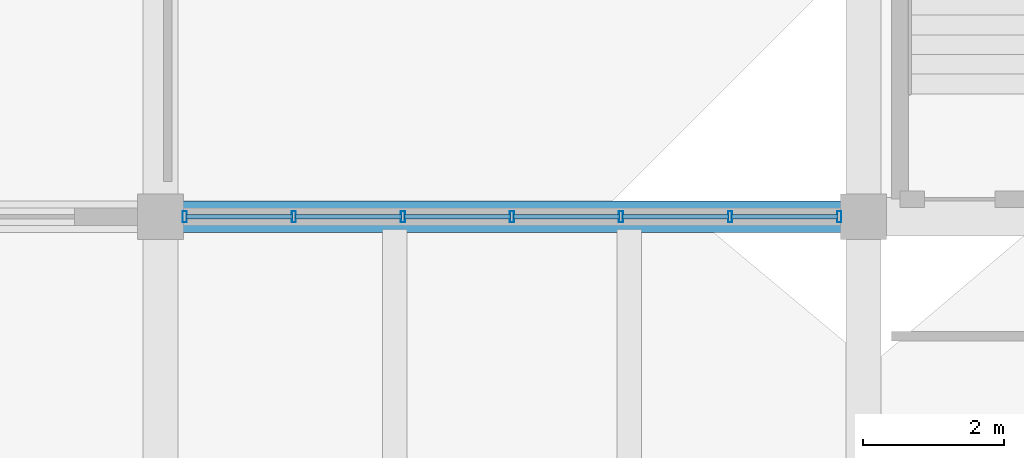
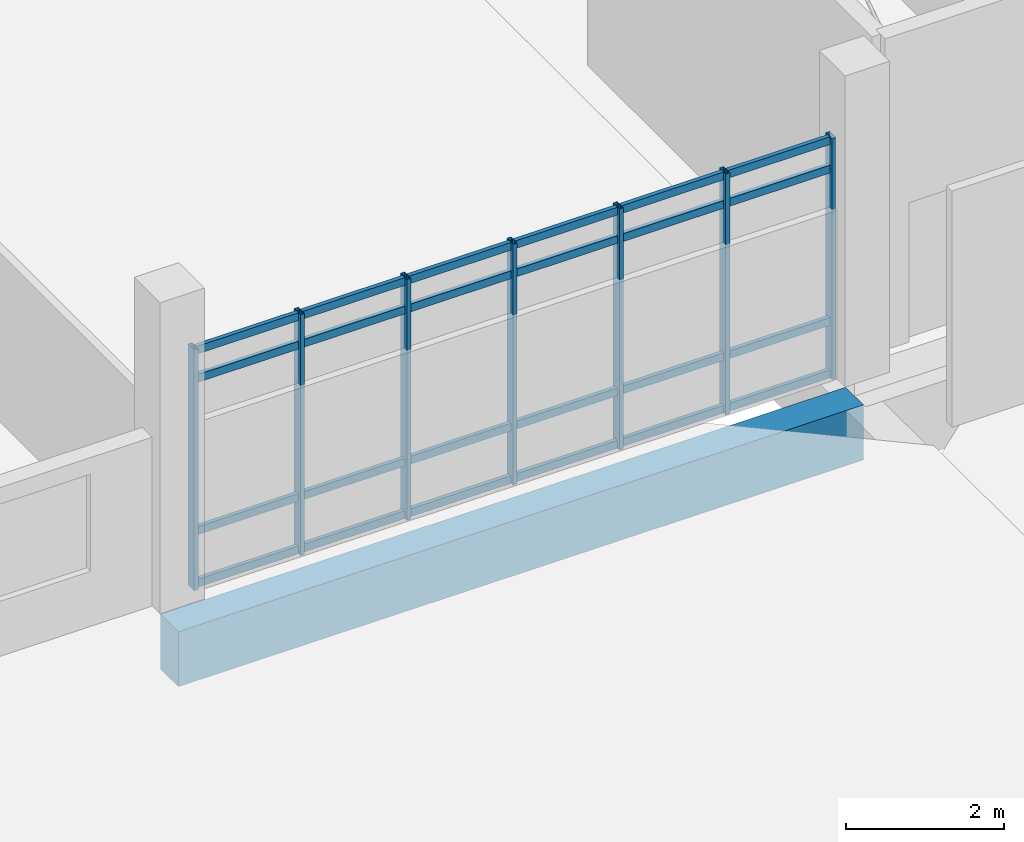
# One storey, part 24 of 87: 31 members, 1 beam, 1 element without a shape of its own.
"""IFC4 building model written with IfcOpenShell, lengths in metres."""

from ifc_helpers import new_model, si_unit, direction, frame, origin, origin_2d, place, context, subcontext, project, spatial, rectangle, hollow_rectangle, extrude, material, layer, layer_set, material_profile, profile_set, type_object, element, aggregate, save


model = new_model("IFC4")

# Units and contexts
model_context = context("Model", 3, precision=1e-05, world=origin(), true_north=direction((0.0, 1.0)))
body_context = subcontext(model_context, "Body", "Model", "MODEL_VIEW")
ifc_project = project(units=[si_unit("LENGTHUNIT", "METRE"), si_unit("AREAUNIT", "SQUARE_METRE"), si_unit("VOLUMEUNIT", "CUBIC_METRE"), si_unit("PLANEANGLEUNIT", "RADIAN"), si_unit("MASSUNIT", "GRAM", prefix="KILO")], contexts=[model_context])

# Site, building, storey
site_placement = place(None, origin())
site = spatial("IfcSite", under=ifc_project, at=site_placement, CompositionType="ELEMENT")
building_placement = place(site_placement, origin())
building = spatial("IfcBuilding", under=site, at=building_placement, Name="Mersad Railyard Sports Hall", CompositionType="ELEMENT")
storey_placement = place(building_placement, origin())
storey = spatial("IfcBuildingStorey", under=building, at=storey_placement, Name="L00", CompositionType="ELEMENT", Elevation=0.0)

# Curtain wall, members
ifc_material_1 = material(Name="Aluminium 6063-T6", Category="aluminium")
ifc_layer = layer(ifc_material_1, 0.159912109375)
ifc_layer_set = layer_set([ifc_layer], Name="Aluminium 6063-T6")
curtain_wall_type = type_object("IfcCurtainWallType", Name="ARC-CW-CW08", PredefinedType="USERDEFINED", material=ifc_layer_set)
curtain_wall_placement = place(storey_placement, origin())
curtain_wall = element("IfcCurtainWall", 1, at=curtain_wall_placement, inside=storey, type_object=curtain_wall_type, Name="Curtain wall CW08-0034", ObjectType="CURTAIN WALL", PredefinedType="USERDEFINED")
ifc_material_profile_1 = material_profile(ifc_material_1, hollow_rectangle(XDim=0.06005859375, YDim=0.159912109375, WallThickness=0.00390625, at=origin_2d()), Name="AL MULLION 60x160x4")
ifc_profile_set_1 = profile_set([ifc_material_profile_1], Name="Aluminium 6063-T6")
member_type_1 = type_object("IfcMemberType", Name="ARC-CW-MUL01", PredefinedType="MULLION", material=ifc_profile_set_1)
member_1_placement = place(storey_placement, frame((130.655029296875, 13.5, -0.02001953125), z_axis=(0.0, 0.0, 1.0), x_axis=(1.0, 0.0, 0.0)))
member_1 = element("IfcMember", 2, at=member_1_placement, type_object=member_type_1, Name="CW08 Mullion 1", PredefinedType="MULLION", context=body_context, shape_type="SweptSolid", body=[
    extrude(hollow_rectangle(XDim=0.06005859375, YDim=0.159912109375, WallThickness=0.00390625, at=origin_2d()), origin(), (0.0, 0.0, 1.0), 3.719970703125),
])
member_2_placement = place(storey_placement, frame((129.103271484375, 13.5, -0.02001953125), z_axis=(0.0, 0.0, 1.0), x_axis=(1.0, 0.0, 0.0)))
member_2 = element("IfcMember", 3, at=member_2_placement, type_object=member_type_1, Name="CW08 Mullion 2", PredefinedType="MULLION", context=body_context, shape_type="SweptSolid", body=[
    extrude(hollow_rectangle(XDim=0.06005859375, YDim=0.159912109375, WallThickness=0.00390625, at=origin_2d()), origin(), (0.0, 0.0, 1.0), 3.719970703125),
])
member_3_placement = place(storey_placement, frame((127.5517578125, 13.5, -0.02001953125), z_axis=(0.0, 0.0, 1.0), x_axis=(1.0, 0.0, 0.0)))
member_3 = element("IfcMember", 4, at=member_3_placement, type_object=member_type_1, Name="CW08 Mullion 3", PredefinedType="MULLION", context=body_context, shape_type="SweptSolid", body=[
    extrude(hollow_rectangle(XDim=0.06005859375, YDim=0.159912109375, WallThickness=0.00390625, at=origin_2d()), origin(), (0.0, 0.0, 1.0), 3.719970703125),
])
member_4_placement = place(storey_placement, frame((126.0, 13.5, -0.02001953125), z_axis=(0.0, 0.0, 1.0), x_axis=(1.0, 0.0, 0.0)))
member_4 = element("IfcMember", 5, at=member_4_placement, type_object=member_type_1, Name="CW08 Mullion 4", PredefinedType="MULLION", context=body_context, shape_type="SweptSolid", body=[
    extrude(hollow_rectangle(XDim=0.06005859375, YDim=0.159912109375, WallThickness=0.00390625, at=origin_2d()), origin(), (0.0, 0.0, 1.0), 3.719970703125),
])
member_5_placement = place(storey_placement, frame((124.4482421875, 13.5, -0.02001953125), z_axis=(0.0, 0.0, 1.0), x_axis=(1.0, 0.0, 0.0)))
member_5 = element("IfcMember", 6, at=member_5_placement, type_object=member_type_1, Name="CW08 Mullion 5", PredefinedType="MULLION", context=body_context, shape_type="SweptSolid", body=[
    extrude(hollow_rectangle(XDim=0.06005859375, YDim=0.159912109375, WallThickness=0.00390625, at=origin_2d()), origin(), (0.0, 0.0, 1.0), 3.719970703125),
])
member_6_placement = place(storey_placement, frame((122.896728515625, 13.5, -0.02001953125), z_axis=(0.0, 0.0, 1.0), x_axis=(1.0, 0.0, 0.0)))
member_6 = element("IfcMember", 7, at=member_6_placement, type_object=member_type_1, Name="CW08 Mullion 6", PredefinedType="MULLION", context=body_context, shape_type="SweptSolid", body=[
    extrude(hollow_rectangle(XDim=0.06005859375, YDim=0.159912109375, WallThickness=0.00390625, at=origin_2d()), origin(), (0.0, 0.0, 1.0), 3.719970703125),
])
member_7_placement = place(storey_placement, frame((121.344970703125, 13.5, -0.02001953125), z_axis=(0.0, 0.0, 1.0), x_axis=(1.0, 0.0, 0.0)))
member_7 = element("IfcMember", 8, at=member_7_placement, type_object=member_type_1, Name="CW08 Mullion 7", PredefinedType="MULLION", context=body_context, shape_type="SweptSolid", body=[
    extrude(hollow_rectangle(XDim=0.06005859375, YDim=0.159912109375, WallThickness=0.00390625, at=origin_2d()), origin(), (0.0, 0.0, 1.0), 3.719970703125),
])
ifc_material_profile_2 = material_profile(ifc_material_1, hollow_rectangle(XDim=0.06005859375, YDim=0.1201171875, WallThickness=0.00390625, at=origin_2d()), Name="AL TRANSOM 60x120x4")
ifc_profile_set_2 = profile_set([ifc_material_profile_2], Name="Aluminium 6063-T6")
member_type_2 = type_object("IfcMemberType", Name="ARC-CW-TRN01", PredefinedType="USERDEFINED", material=ifc_profile_set_2)
member_8_placement = place(storey_placement, frame((130.635009765625, 13.5, 0.0400390625), z_axis=(-1.0, 0.0, 0.0), x_axis=(0.0, -1.0, 0.0)))
member_8 = element("IfcMember", 9, at=member_8_placement, type_object=member_type_2, Name="CW08 Transom 1-1", ObjectType="TRANSOM", PredefinedType="USERDEFINED", context=body_context, shape_type="SweptSolid", body=[
    extrude(hollow_rectangle(XDim=0.06005859375, YDim=0.1201171875, WallThickness=0.00390625, at=origin_2d()), origin(), (0.0, 0.0, 1.0), 1.51171875),
])
member_9_placement = place(storey_placement, frame((129.083251953125, 13.5, 0.0400390625), z_axis=(-1.0, 0.0, 0.0), x_axis=(0.0, -1.0, 0.0)))
member_9 = element("IfcMember", 10, at=member_9_placement, type_object=member_type_2, Name="CW08 Transom 1-2", ObjectType="TRANSOM", PredefinedType="USERDEFINED", context=body_context, shape_type="SweptSolid", body=[
    extrude(hollow_rectangle(XDim=0.06005859375, YDim=0.1201171875, WallThickness=0.00390625, at=origin_2d()), origin(), (0.0, 0.0, 1.0), 1.511474609375),
])
member_10_placement = place(storey_placement, frame((127.53173828125, 13.5, 0.0400390625), z_axis=(-1.0, 0.0, 0.0), x_axis=(0.0, -1.0, 0.0)))
member_10 = element("IfcMember", 11, at=member_10_placement, type_object=member_type_2, Name="CW08 Transom 1-3", ObjectType="TRANSOM", PredefinedType="USERDEFINED", context=body_context, shape_type="SweptSolid", body=[
    extrude(hollow_rectangle(XDim=0.06005859375, YDim=0.1201171875, WallThickness=0.00390625, at=origin_2d()), origin(), (0.0, 0.0, 1.0), 1.51171875),
])
member_11_placement = place(storey_placement, frame((125.97998046875, 13.5, 0.0400390625), z_axis=(-1.0, 0.0, 0.0), x_axis=(0.0, -1.0, 0.0)))
member_11 = element("IfcMember", 12, at=member_11_placement, type_object=member_type_2, Name="CW08 Transom 1-4", ObjectType="TRANSOM", PredefinedType="USERDEFINED", context=body_context, shape_type="SweptSolid", body=[
    extrude(hollow_rectangle(XDim=0.06005859375, YDim=0.1201171875, WallThickness=0.00390625, at=origin_2d()), origin(), (0.0, 0.0, 1.0), 1.51171875),
])
member_12_placement = place(storey_placement, frame((124.42822265625, 13.5, 0.0400390625), z_axis=(-1.0, 0.0, 0.0), x_axis=(0.0, -1.0, 0.0)))
member_12 = element("IfcMember", 13, at=member_12_placement, type_object=member_type_2, Name="CW08 Transom 1-5", ObjectType="TRANSOM", PredefinedType="USERDEFINED", context=body_context, shape_type="SweptSolid", body=[
    extrude(hollow_rectangle(XDim=0.06005859375, YDim=0.1201171875, WallThickness=0.00390625, at=origin_2d()), origin(), (0.0, 0.0, 1.0), 1.511474609375),
])
member_13_placement = place(storey_placement, frame((122.876708984375, 13.5, 0.0400390625), z_axis=(-1.0, 0.0, 0.0), x_axis=(0.0, -1.0, 0.0)))
member_13 = element("IfcMember", 14, at=member_13_placement, type_object=member_type_2, Name="CW08 Transom 1-6", ObjectType="TRANSOM", PredefinedType="USERDEFINED", context=body_context, shape_type="SweptSolid", body=[
    extrude(hollow_rectangle(XDim=0.06005859375, YDim=0.1201171875, WallThickness=0.00390625, at=origin_2d()), origin(), (0.0, 0.0, 1.0), 1.51171875),
])
member_14_placement = place(storey_placement, frame((130.635009765625, 13.5, 0.85009765625), z_axis=(-1.0, 0.0, 0.0), x_axis=(0.0, -1.0, 0.0)))
member_14 = element("IfcMember", 15, at=member_14_placement, type_object=member_type_2, Name="CW08 Transom 2-1", ObjectType="TRANSOM", PredefinedType="USERDEFINED", context=body_context, shape_type="SweptSolid", body=[
    extrude(hollow_rectangle(XDim=0.06005859375, YDim=0.1201171875, WallThickness=0.00390625, at=origin_2d()), origin(), (0.0, 0.0, 1.0), 1.51171875),
])
member_15_placement = place(storey_placement, frame((129.083251953125, 13.5, 0.85009765625), z_axis=(-1.0, 0.0, 0.0), x_axis=(0.0, -1.0, 0.0)))
member_15 = element("IfcMember", 16, at=member_15_placement, type_object=member_type_2, Name="CW08 Transom 2-2", ObjectType="TRANSOM", PredefinedType="USERDEFINED", context=body_context, shape_type="SweptSolid", body=[
    extrude(hollow_rectangle(XDim=0.06005859375, YDim=0.1201171875, WallThickness=0.00390625, at=origin_2d()), origin(), (0.0, 0.0, 1.0), 1.511474609375),
])
member_16_placement = place(storey_placement, frame((127.53173828125, 13.5, 0.85009765625), z_axis=(-1.0, 0.0, 0.0), x_axis=(0.0, -1.0, 0.0)))
member_16 = element("IfcMember", 17, at=member_16_placement, type_object=member_type_2, Name="CW08 Transom 2-3", ObjectType="TRANSOM", PredefinedType="USERDEFINED", context=body_context, shape_type="SweptSolid", body=[
    extrude(hollow_rectangle(XDim=0.06005859375, YDim=0.1201171875, WallThickness=0.00390625, at=origin_2d()), origin(), (0.0, 0.0, 1.0), 1.51171875),
])
member_17_placement = place(storey_placement, frame((125.97998046875, 13.5, 0.85009765625), z_axis=(-1.0, 0.0, 0.0), x_axis=(0.0, -1.0, 0.0)))
member_17 = element("IfcMember", 18, at=member_17_placement, type_object=member_type_2, Name="CW08 Transom 2-4", ObjectType="TRANSOM", PredefinedType="USERDEFINED", context=body_context, shape_type="SweptSolid", body=[
    extrude(hollow_rectangle(XDim=0.06005859375, YDim=0.1201171875, WallThickness=0.00390625, at=origin_2d()), origin(), (0.0, 0.0, 1.0), 1.51171875),
])
member_18_placement = place(storey_placement, frame((124.42822265625, 13.5, 0.85009765625), z_axis=(-1.0, 0.0, 0.0), x_axis=(0.0, -1.0, 0.0)))
member_18 = element("IfcMember", 19, at=member_18_placement, type_object=member_type_2, Name="CW08 Transom 2-5", ObjectType="TRANSOM", PredefinedType="USERDEFINED", context=body_context, shape_type="SweptSolid", body=[
    extrude(hollow_rectangle(XDim=0.06005859375, YDim=0.1201171875, WallThickness=0.00390625, at=origin_2d()), origin(), (0.0, 0.0, 1.0), 1.511474609375),
])
member_19_placement = place(storey_placement, frame((122.876708984375, 13.5, 0.85009765625), z_axis=(-1.0, 0.0, 0.0), x_axis=(0.0, -1.0, 0.0)))
member_19 = element("IfcMember", 20, at=member_19_placement, type_object=member_type_2, Name="CW08 Transom 2-6", ObjectType="TRANSOM", PredefinedType="USERDEFINED", context=body_context, shape_type="SweptSolid", body=[
    extrude(hollow_rectangle(XDim=0.06005859375, YDim=0.1201171875, WallThickness=0.00390625, at=origin_2d()), origin(), (0.0, 0.0, 1.0), 1.51171875),
])
member_20_placement = place(storey_placement, frame((130.635009765625, 13.5, 3.199951171875), z_axis=(-1.0, 0.0, 0.0), x_axis=(0.0, -1.0, 0.0)))
member_20 = element("IfcMember", 21, at=member_20_placement, type_object=member_type_2, Name="CW08 Transom 3-1", ObjectType="TRANSOM", PredefinedType="USERDEFINED", context=body_context, shape_type="SweptSolid", body=[
    extrude(hollow_rectangle(XDim=0.06005859375, YDim=0.1201171875, WallThickness=0.00390625, at=origin_2d()), origin(), (0.0, 0.0, 1.0), 1.51171875),
])
member_21_placement = place(storey_placement, frame((129.083251953125, 13.5, 3.199951171875), z_axis=(-1.0, 0.0, 0.0), x_axis=(0.0, -1.0, 0.0)))
member_21 = element("IfcMember", 22, at=member_21_placement, type_object=member_type_2, Name="CW08 Transom 3-2", ObjectType="TRANSOM", PredefinedType="USERDEFINED", context=body_context, shape_type="SweptSolid", body=[
    extrude(hollow_rectangle(XDim=0.06005859375, YDim=0.1201171875, WallThickness=0.00390625, at=origin_2d()), origin(), (0.0, 0.0, 1.0), 1.511474609375),
])
member_22_placement = place(storey_placement, frame((127.53173828125, 13.5, 3.199951171875), z_axis=(-1.0, 0.0, 0.0), x_axis=(0.0, -1.0, 0.0)))
member_22 = element("IfcMember", 23, at=member_22_placement, type_object=member_type_2, Name="CW08 Transom 3-3", ObjectType="TRANSOM", PredefinedType="USERDEFINED", context=body_context, shape_type="SweptSolid", body=[
    extrude(hollow_rectangle(XDim=0.06005859375, YDim=0.1201171875, WallThickness=0.00390625, at=origin_2d()), origin(), (0.0, 0.0, 1.0), 1.51171875),
])
member_23_placement = place(storey_placement, frame((125.97998046875, 13.5, 3.199951171875), z_axis=(-1.0, 0.0, 0.0), x_axis=(0.0, -1.0, 0.0)))
member_23 = element("IfcMember", 24, at=member_23_placement, type_object=member_type_2, Name="CW08 Transom 3-4", ObjectType="TRANSOM", PredefinedType="USERDEFINED", context=body_context, shape_type="SweptSolid", body=[
    extrude(hollow_rectangle(XDim=0.06005859375, YDim=0.1201171875, WallThickness=0.00390625, at=origin_2d()), origin(), (0.0, 0.0, 1.0), 1.51171875),
])
member_24_placement = place(storey_placement, frame((124.42822265625, 13.5, 3.199951171875), z_axis=(-1.0, 0.0, 0.0), x_axis=(0.0, -1.0, 0.0)))
member_24 = element("IfcMember", 25, at=member_24_placement, type_object=member_type_2, Name="CW08 Transom 3-5", ObjectType="TRANSOM", PredefinedType="USERDEFINED", context=body_context, shape_type="SweptSolid", body=[
    extrude(hollow_rectangle(XDim=0.06005859375, YDim=0.1201171875, WallThickness=0.00390625, at=origin_2d()), origin(), (0.0, 0.0, 1.0), 1.511474609375),
])
member_25_placement = place(storey_placement, frame((122.876708984375, 13.5, 3.199951171875), z_axis=(-1.0, 0.0, 0.0), x_axis=(0.0, -1.0, 0.0)))
member_25 = element("IfcMember", 26, at=member_25_placement, type_object=member_type_2, Name="CW08 Transom 3-6", ObjectType="TRANSOM", PredefinedType="USERDEFINED", context=body_context, shape_type="SweptSolid", body=[
    extrude(hollow_rectangle(XDim=0.06005859375, YDim=0.1201171875, WallThickness=0.00390625, at=origin_2d()), origin(), (0.0, 0.0, 1.0), 1.51171875),
])
member_26_placement = place(storey_placement, frame((130.635009765625, 13.5, 3.639892578125), z_axis=(-1.0, 0.0, 0.0), x_axis=(0.0, -1.0, 0.0)))
member_26 = element("IfcMember", 27, at=member_26_placement, type_object=member_type_2, Name="CW08 Transom 4-1", ObjectType="TRANSOM", PredefinedType="USERDEFINED", context=body_context, shape_type="SweptSolid", body=[
    extrude(hollow_rectangle(XDim=0.06005859375, YDim=0.1201171875, WallThickness=0.00390625, at=origin_2d()), origin(), (0.0, 0.0, 1.0), 1.51171875),
])
member_27_placement = place(storey_placement, frame((129.083251953125, 13.5, 3.639892578125), z_axis=(-1.0, 0.0, 0.0), x_axis=(0.0, -1.0, 0.0)))
member_27 = element("IfcMember", 28, at=member_27_placement, type_object=member_type_2, Name="CW08 Transom 4-2", ObjectType="TRANSOM", PredefinedType="USERDEFINED", context=body_context, shape_type="SweptSolid", body=[
    extrude(hollow_rectangle(XDim=0.06005859375, YDim=0.1201171875, WallThickness=0.00390625, at=origin_2d()), origin(), (0.0, 0.0, 1.0), 1.511474609375),
])
member_28_placement = place(storey_placement, frame((127.53173828125, 13.5, 3.639892578125), z_axis=(-1.0, 0.0, 0.0), x_axis=(0.0, -1.0, 0.0)))
member_28 = element("IfcMember", 29, at=member_28_placement, type_object=member_type_2, Name="CW08 Transom 4-3", ObjectType="TRANSOM", PredefinedType="USERDEFINED", context=body_context, shape_type="SweptSolid", body=[
    extrude(hollow_rectangle(XDim=0.06005859375, YDim=0.1201171875, WallThickness=0.00390625, at=origin_2d()), origin(), (0.0, 0.0, 1.0), 1.51171875),
])
member_29_placement = place(storey_placement, frame((125.97998046875, 13.5, 3.639892578125), z_axis=(-1.0, 0.0, 0.0), x_axis=(0.0, -1.0, 0.0)))
member_29 = element("IfcMember", 30, at=member_29_placement, type_object=member_type_2, Name="CW08 Transom 4-4", ObjectType="TRANSOM", PredefinedType="USERDEFINED", context=body_context, shape_type="SweptSolid", body=[
    extrude(hollow_rectangle(XDim=0.06005859375, YDim=0.1201171875, WallThickness=0.00390625, at=origin_2d()), origin(), (0.0, 0.0, 1.0), 1.51171875),
])
member_30_placement = place(storey_placement, frame((124.42822265625, 13.5, 3.639892578125), z_axis=(-1.0, 0.0, 0.0), x_axis=(0.0, -1.0, 0.0)))
member_30 = element("IfcMember", 31, at=member_30_placement, type_object=member_type_2, Name="CW08 Transom 4-5", ObjectType="TRANSOM", PredefinedType="USERDEFINED", context=body_context, shape_type="SweptSolid", body=[
    extrude(hollow_rectangle(XDim=0.06005859375, YDim=0.1201171875, WallThickness=0.00390625, at=origin_2d()), origin(), (0.0, 0.0, 1.0), 1.511474609375),
])
member_31_placement = place(storey_placement, frame((122.876708984375, 13.5, 3.639892578125), z_axis=(-1.0, 0.0, 0.0), x_axis=(0.0, -1.0, 0.0)))
member_31 = element("IfcMember", 32, at=member_31_placement, type_object=member_type_2, Name="CW08 Transom 4-6", ObjectType="TRANSOM", PredefinedType="USERDEFINED", context=body_context, shape_type="SweptSolid", body=[
    extrude(hollow_rectangle(XDim=0.06005859375, YDim=0.1201171875, WallThickness=0.00390625, at=origin_2d()), origin(), (0.0, 0.0, 1.0), 1.51171875),
])
aggregate(curtain_wall, [member_1, member_2, member_3, member_4, member_5, member_6, member_7, member_8, member_9, member_10, member_11, member_12, member_13, member_14, member_15, member_16, member_17, member_18, member_19, member_20, member_21, member_22, member_23, member_24, member_25, member_26, member_27, member_28, member_29, member_30, member_31])

# Beam
ifc_material_2 = material(Name="Concrete C40/50", Category="concrete")
ifc_material_profile_3 = material_profile(ifc_material_2, rectangle(XDim=0.449951171875, YDim=0.85009765625, at=origin_2d()), Name="RC 450x850")
ifc_profile_set_3 = profile_set([ifc_material_profile_3], Name="Concrete C40/50")
beam_type = type_object("IfcBeamType", Name="STR-BM-B02", PredefinedType="BEAM", material=ifc_profile_set_3)
beam_placement = place(storey_placement, frame((121.0, 13.5, -0.875), z_axis=(1.0, 0.0, 0.0), x_axis=(0.0, 1.0, 0.0)))
element("IfcBeam", 33, at=beam_placement, inside=storey, type_object=beam_type, Name="Beam B02-0060", PredefinedType="BEAM", context=body_context, shape_type="SweptSolid", body=[
    extrude(rectangle(XDim=0.449951171875, YDim=0.85009765625, at=origin_2d()), origin(), (0.0, 0.0, 1.0), 10.0),
])

save(model, "model.ifc")
